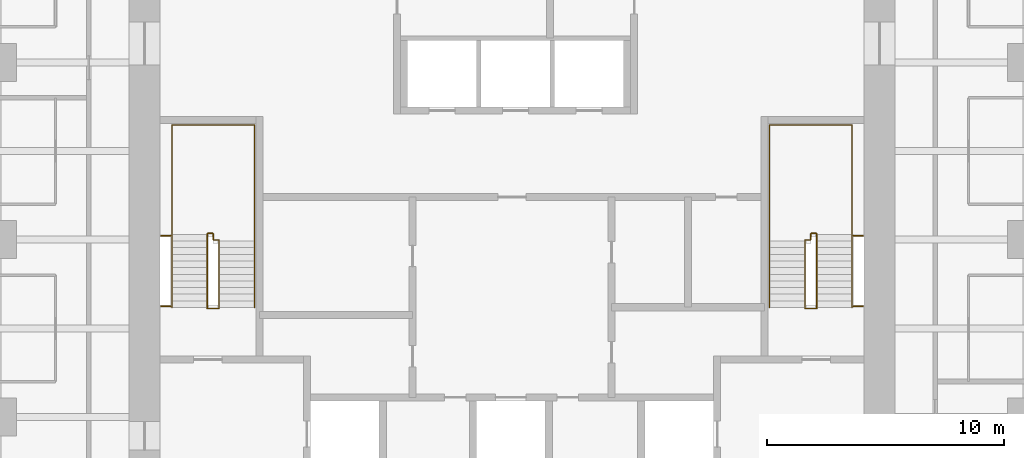
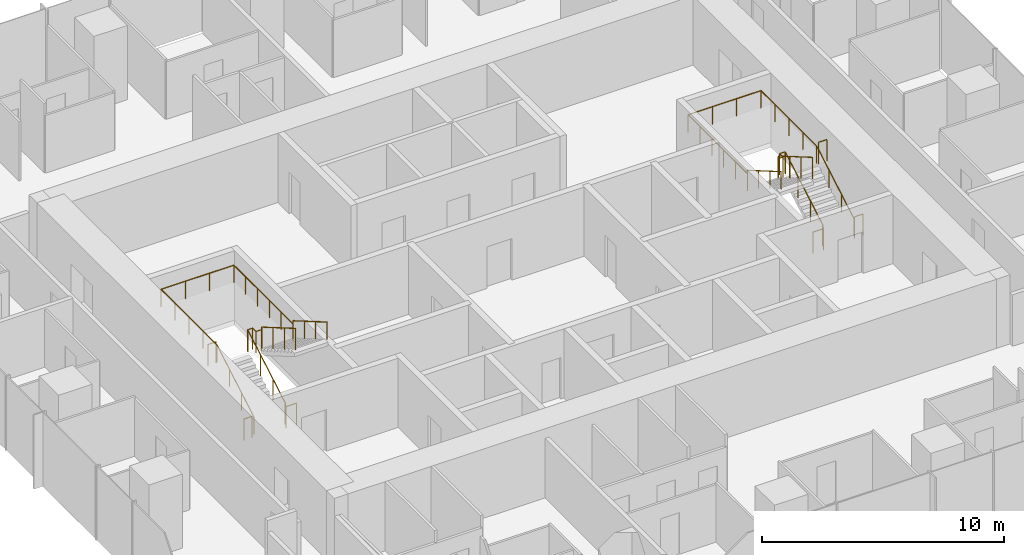
# One storey, part 12 of 12: 8 railings.
"""IFC4 building model written with IfcOpenShell, lengths in metres."""

from ifc_helpers import new_model, si_unit, direction, frame, origin, origin_2d, place, context, subcontext, project, spatial, circle, extrude, material, type_object, element, save


model = new_model("IFC4")

# Units and contexts
model_context = context("Model", 3, precision=1e-05, world=origin(), true_north=direction((0.0, 1.0)))
body_context = subcontext(model_context, "Body", "Model", "MODEL_VIEW")
ifc_project = project(units=[si_unit("LENGTHUNIT", "METRE"), si_unit("AREAUNIT", "SQUARE_METRE"), si_unit("VOLUMEUNIT", "CUBIC_METRE"), si_unit("PLANEANGLEUNIT", "RADIAN"), si_unit("MASSUNIT", "GRAM", prefix="KILO")], contexts=[model_context])

# Site, building, storey
site_placement = place(None, origin())
site = spatial("IfcSite", under=ifc_project, at=site_placement, CompositionType="ELEMENT")
building_placement = place(site_placement, origin())
building = spatial("IfcBuilding", under=site, at=building_placement, Name="Khuree Lantern Residences", CompositionType="ELEMENT")
storey_placement = place(building_placement, frame((0.0, 0.0, 308.25)))
storey = spatial("IfcBuildingStorey", under=building, at=storey_placement, Name="L77", CompositionType="ELEMENT", Elevation=308.25)

# Railings
ifc_material = material(Name="Steel S355", Category="steel")
railing_type_1 = type_object("IfcRailingType", Name="STAIR GUARD G1 1100", PredefinedType="GUARDRAIL", material=ifc_material)
railing_1_placement = place(storey_placement, frame((-12.35009765625, -2.909912109375, 0.0)))
element("IfcRailing", 1, at=railing_1_placement, inside=storey, type_object=railing_type_1, Name="Stair ST1 guard", PredefinedType="GUARDRAIL", context=body_context, shape_type="SweptSolid", body=[
    extrude(circle(Radius=0.02392578125, at=origin_2d()), frame((0.0, 0.0, 1.076171875), z_axis=(-1.0, 0.0, 0.0), x_axis=(0.0, -1.0, 0.0)), (0.0, 0.0, 1.0), 0.5),
    extrude(circle(Radius=0.02392578125, at=origin_2d()), frame((-0.5, 0.0, 1.076171875), z_axis=(0.0, 0.292073035251, 0.95639601739), x_axis=(-1.0, 0.0, 0.0)), (0.0, 0.0, 1.0), 0.17041015625),
    extrude(circle(Radius=0.02392578125, at=origin_2d()), frame((-0.5, 0.0498046875, 1.2392578125), z_axis=(0.0, 0.864176135923, 0.503189433615), x_axis=(-1.0, 0.0, 0.0)), (0.0, 0.0, 1.0), 3.564208984375),
    extrude(circle(Radius=0.02392578125, at=origin_2d()), frame((-0.5, 3.1298828125, 3.03271484375), z_axis=(0.0, 1.0, 0.0), x_axis=(-1.0, 0.0, 0.0)), (0.0, 0.0, 1.0), 0.050048828125),
    extrude(circle(Radius=0.02392578125, at=origin_2d()), frame((-0.5, 3.179931640625, 3.03271484375), z_axis=(1.0, 0.0, 0.0), x_axis=(0.0, 1.0, 0.0)), (0.0, 0.0, 1.0), 0.25),
    extrude(circle(Radius=0.02392578125, at=origin_2d()), frame((-0.25, 3.179931640625, 3.03271484375), z_axis=(0.0, -1.0, 0.0), x_axis=(1.0, 0.0, 0.0)), (0.0, 0.0, 1.0), 0.280029296875),
    extrude(circle(Radius=0.02392578125, at=origin_2d()), frame((-0.25, 2.89990234375, 3.03271484375), z_axis=(1.0, 0.0, 0.0), x_axis=(0.0, 1.0, 0.0)), (0.0, 0.0, 1.0), 0.25),
    extrude(circle(Radius=0.02392578125, at=origin_2d()), frame((0.0, 2.89990234375, 3.03271484375), z_axis=(0.0, -0.293381807449, 0.955995353053), x_axis=(1.0, 0.0, 0.0)), (0.0, 0.0, 1.0), 0.170654296875),
    extrude(circle(Radius=0.02392578125, at=origin_2d()), frame((0.0, 2.849853515625, 3.19580078125), z_axis=(0.0, -0.864180358799, 0.503182181189), x_axis=(1.0, 0.0, 0.0)), (0.0, 0.0, 1.0), 3.240234375),
    extrude(circle(Radius=0.02099609375, at=origin_2d()), origin(), (0.0, 0.0, 1.0), 1.052001953125),
    extrude(circle(Radius=0.02099609375, at=origin_2d()), frame((-0.5, 0.0, 0.0)), (0.0, 0.0, 1.0), 1.052001953125),
    extrude(circle(Radius=0.02099609375, at=origin_2d()), frame((-0.5, 0.0498046875, 0.1630859375)), (0.0, 0.0, 1.0), 1.052001953125),
    extrude(circle(Radius=0.02099609375, at=origin_2d()), frame((-0.5, 1.076416015625, 0.760986328125)), (0.0, 0.0, 1.0), 1.052001953125),
    extrude(circle(Radius=0.02099609375, at=origin_2d()), frame((-0.5, 2.103271484375, 1.358642578125)), (0.0, 0.0, 1.0), 1.052001953125),
    extrude(circle(Radius=0.02099609375, at=origin_2d()), frame((-0.5, 3.1298828125, 1.95654296875)), (0.0, 0.0, 1.0), 1.052001953125),
    extrude(circle(Radius=0.02099609375, at=origin_2d()), frame((-0.5, 3.179931640625, 1.95654296875)), (0.0, 0.0, 1.0), 1.052001953125),
    extrude(circle(Radius=0.02099609375, at=origin_2d()), frame((-0.25, 3.179931640625, 1.95654296875)), (0.0, 0.0, 1.0), 1.052001953125),
    extrude(circle(Radius=0.02099609375, at=origin_2d()), frame((-0.25, 2.89990234375, 1.95654296875)), (0.0, 0.0, 1.0), 1.052001953125),
    extrude(circle(Radius=0.02099609375, at=origin_2d()), frame((0.0, 2.89990234375, 1.95654296875)), (0.0, 0.0, 1.0), 1.052001953125),
    extrude(circle(Radius=0.02099609375, at=origin_2d()), frame((0.0, 2.849853515625, 2.11962890625)), (0.0, 0.0, 1.0), 1.052001953125),
    extrude(circle(Radius=0.02099609375, at=origin_2d()), frame((0.0, 1.91650390625, 2.6630859375)), (0.0, 0.0, 1.0), 1.052001953125),
    extrude(circle(Radius=0.02099609375, at=origin_2d()), frame((0.0, 0.983154296875, 3.20654296875)), (0.0, 0.0, 1.0), 1.052001953125),
    extrude(circle(Radius=0.02099609375, at=origin_2d()), frame((0.0, 0.0498046875, 3.75)), (0.0, 0.0, 1.0), 1.052001953125),
])
for number, where, name in (
    (2, (-14.800048828125, -2.81005859375, 0.0), "Stair ST1 landing slot guard"),
    (3, (-14.800048828125, 0.169921875, 1.95654296875), "Stair ST1 landing slot guard"),
):
    element("IfcRailing", number, at=place(storey_placement, frame(where)), inside=storey, type_object=railing_type_1, Name=name, PredefinedType="GUARDRAIL", context=body_context, shape_type="SweptSolid", body=[
        extrude(circle(Radius=0.02392578125, at=origin_2d()), frame((0.0, 0.0, 1.076171875), z_axis=(1.0, 0.0, 0.0), x_axis=(0.0, 1.0, 0.0)), (0.0, 0.0, 1.0), 0.400146484375),
        extrude(circle(Radius=0.02099609375, at=origin_2d()), origin(), (0.0, 0.0, 1.0), 1.052001953125),
        extrude(circle(Radius=0.02099609375, at=origin_2d()), frame((0.400146484375, 0.0, 0.0)), (0.0, 0.0, 1.0), 1.052001953125),
    ])
railing_2_placement = place(storey_placement, frame((12.35009765625, -2.909912109375, 0.0)))
element("IfcRailing", 4, at=railing_2_placement, inside=storey, type_object=railing_type_1, Name="Stair ST2 guard", PredefinedType="GUARDRAIL", context=body_context, shape_type="SweptSolid", body=[
    extrude(circle(Radius=0.02392578125, at=origin_2d()), frame((0.0, 0.0, 1.076171875), z_axis=(1.0, 0.0, 0.0), x_axis=(0.0, 1.0, 0.0)), (0.0, 0.0, 1.0), 0.5),
    extrude(circle(Radius=0.02392578125, at=origin_2d()), frame((0.5, 0.0, 1.076171875), z_axis=(0.0, 0.292073035251, 0.95639601739), x_axis=(-1.0, 0.0, 0.0)), (0.0, 0.0, 1.0), 0.17041015625),
    extrude(circle(Radius=0.02392578125, at=origin_2d()), frame((0.5, 0.0498046875, 1.2392578125), z_axis=(0.0, 0.864176135923, 0.503189433615), x_axis=(-1.0, 0.0, 0.0)), (0.0, 0.0, 1.0), 3.564208984375),
    extrude(circle(Radius=0.02392578125, at=origin_2d()), frame((0.5, 3.1298828125, 3.03271484375), z_axis=(0.0, 1.0, 0.0), x_axis=(-1.0, 0.0, 0.0)), (0.0, 0.0, 1.0), 0.050048828125),
    extrude(circle(Radius=0.02392578125, at=origin_2d()), frame((0.5, 3.179931640625, 3.03271484375), z_axis=(-1.0, 0.0, 0.0), x_axis=(0.0, -1.0, 0.0)), (0.0, 0.0, 1.0), 0.25),
    extrude(circle(Radius=0.02392578125, at=origin_2d()), frame((0.25, 3.179931640625, 3.03271484375), z_axis=(0.0, -1.0, 0.0), x_axis=(1.0, 0.0, 0.0)), (0.0, 0.0, 1.0), 0.280029296875),
    extrude(circle(Radius=0.02392578125, at=origin_2d()), frame((0.25, 2.89990234375, 3.03271484375), z_axis=(-1.0, 0.0, 0.0), x_axis=(0.0, -1.0, 0.0)), (0.0, 0.0, 1.0), 0.25),
    extrude(circle(Radius=0.02392578125, at=origin_2d()), frame((0.0, 2.89990234375, 3.03271484375), z_axis=(0.0, -0.293381807449, 0.955995353053), x_axis=(1.0, 0.0, 0.0)), (0.0, 0.0, 1.0), 0.170654296875),
    extrude(circle(Radius=0.02392578125, at=origin_2d()), frame((0.0, 2.849853515625, 3.19580078125), z_axis=(0.0, -0.864180358799, 0.503182181189), x_axis=(1.0, 0.0, 0.0)), (0.0, 0.0, 1.0), 3.240234375),
    extrude(circle(Radius=0.02099609375, at=origin_2d()), origin(), (0.0, 0.0, 1.0), 1.052001953125),
    extrude(circle(Radius=0.02099609375, at=origin_2d()), frame((0.5, 0.0, 0.0)), (0.0, 0.0, 1.0), 1.052001953125),
    extrude(circle(Radius=0.02099609375, at=origin_2d()), frame((0.5, 0.0498046875, 0.1630859375)), (0.0, 0.0, 1.0), 1.052001953125),
    extrude(circle(Radius=0.02099609375, at=origin_2d()), frame((0.5, 1.076416015625, 0.760986328125)), (0.0, 0.0, 1.0), 1.052001953125),
    extrude(circle(Radius=0.02099609375, at=origin_2d()), frame((0.5, 2.103271484375, 1.358642578125)), (0.0, 0.0, 1.0), 1.052001953125),
    extrude(circle(Radius=0.02099609375, at=origin_2d()), frame((0.5, 3.1298828125, 1.95654296875)), (0.0, 0.0, 1.0), 1.052001953125),
    extrude(circle(Radius=0.02099609375, at=origin_2d()), frame((0.5, 3.179931640625, 1.95654296875)), (0.0, 0.0, 1.0), 1.052001953125),
    extrude(circle(Radius=0.02099609375, at=origin_2d()), frame((0.25, 3.179931640625, 1.95654296875)), (0.0, 0.0, 1.0), 1.052001953125),
    extrude(circle(Radius=0.02099609375, at=origin_2d()), frame((0.25, 2.89990234375, 1.95654296875)), (0.0, 0.0, 1.0), 1.052001953125),
    extrude(circle(Radius=0.02099609375, at=origin_2d()), frame((0.0, 2.89990234375, 1.95654296875)), (0.0, 0.0, 1.0), 1.052001953125),
    extrude(circle(Radius=0.02099609375, at=origin_2d()), frame((0.0, 2.849853515625, 2.11962890625)), (0.0, 0.0, 1.0), 1.052001953125),
    extrude(circle(Radius=0.02099609375, at=origin_2d()), frame((0.0, 1.91650390625, 2.6630859375)), (0.0, 0.0, 1.0), 1.052001953125),
    extrude(circle(Radius=0.02099609375, at=origin_2d()), frame((0.0, 0.983154296875, 3.20654296875)), (0.0, 0.0, 1.0), 1.052001953125),
    extrude(circle(Radius=0.02099609375, at=origin_2d()), frame((0.0, 0.0498046875, 3.75)), (0.0, 0.0, 1.0), 1.052001953125),
])
for number, where, name in (
    (5, (14.800048828125, -2.81005859375, 0.0), "Stair ST2 landing slot guard"),
    (6, (14.800048828125, 0.169921875, 1.95654296875), "Stair ST2 landing slot guard"),
):
    element("IfcRailing", number, at=place(storey_placement, frame(where)), inside=storey, type_object=railing_type_1, Name=name, PredefinedType="GUARDRAIL", context=body_context, shape_type="SweptSolid", body=[
        extrude(circle(Radius=0.02392578125, at=origin_2d()), frame((0.0, 0.0, 1.076171875), z_axis=(-1.0, 0.0, 0.0), x_axis=(0.0, -1.0, 0.0)), (0.0, 0.0, 1.0), 0.400146484375),
        extrude(circle(Radius=0.02099609375, at=origin_2d()), origin(), (0.0, 0.0, 1.0), 1.052001953125),
        extrude(circle(Radius=0.02099609375, at=origin_2d()), frame((-0.400146484375, 0.0, 0.0)), (0.0, 0.0, 1.0), 1.052001953125),
    ])
railing_type_2 = type_object("IfcRailingType", Name="STAIR HANDRAIL H1 900", PredefinedType="HANDRAIL", material=ifc_material)
railing_3_placement = place(storey_placement, frame((-14.340087890625, -2.860107421875, 0.1630859375)))
element("IfcRailing", 7, at=railing_3_placement, inside=storey, type_object=railing_type_2, Name="Stair ST1 handrail", PredefinedType="HANDRAIL", context=body_context, shape_type="SweptSolid", body=[
    extrude(circle(Radius=0.02392578125, at=origin_2d()), frame((0.0, 0.0, 0.8759765625), z_axis=(0.0, 0.864176135923, 0.503189433615), x_axis=(-1.0, 0.0, 0.0)), (0.0, 0.0, 1.0), 3.564208984375),
    extrude(circle(Radius=0.02392578125, at=origin_2d()), frame((0.0, 3.080078125, 2.66943359375), z_axis=(0.0, 1.0, 0.0), x_axis=(-1.0, 0.0, 0.0)), (0.0, 0.0, 1.0), 4.6201171875),
    extrude(circle(Radius=0.02392578125, at=origin_2d()), frame((0.0, 7.7001953125, 2.66943359375), z_axis=(1.0, 0.0, 0.0), x_axis=(0.0, 1.0, 0.0)), (0.0, 0.0, 1.0), 3.47998046875),
    extrude(circle(Radius=0.02392578125, at=origin_2d()), frame((3.47998046875, 7.7001953125, 2.66943359375), z_axis=(0.0, -1.0, 0.0), x_axis=(1.0, 0.0, 0.0)), (0.0, 0.0, 1.0), 4.900146484375),
    extrude(circle(Radius=0.02392578125, at=origin_2d()), frame((3.47998046875, 2.800048828125, 2.66943359375), z_axis=(0.0, 0.0, 1.0), x_axis=(1.0, 0.0, 0.0)), (0.0, 0.0, 1.0), 0.1630859375),
    extrude(circle(Radius=0.02392578125, at=origin_2d()), frame((3.47998046875, 2.800048828125, 2.83251953125), z_axis=(0.0, -0.864180358799, 0.503182181189), x_axis=(1.0, 0.0, 0.0)), (0.0, 0.0, 1.0), 3.240234375),
    extrude(circle(Radius=0.02099609375, at=origin_2d()), origin(), (0.0, 0.0, 1.0), 0.851806640625),
    extrude(circle(Radius=0.02099609375, at=origin_2d()), frame((0.0, 1.026611328125, 0.597900390625)), (0.0, 0.0, 1.0), 0.851806640625),
    extrude(circle(Radius=0.02099609375, at=origin_2d()), frame((0.0, 2.053466796875, 1.195556640625)), (0.0, 0.0, 1.0), 0.851806640625),
    extrude(circle(Radius=0.02099609375, at=origin_2d()), frame((0.0, 3.080078125, 1.79345703125)), (0.0, 0.0, 1.0), 0.851806640625),
    extrude(circle(Radius=0.02099609375, at=origin_2d()), frame((0.0, 4.235107421875, 1.79345703125)), (0.0, 0.0, 1.0), 0.851806640625),
    extrude(circle(Radius=0.02099609375, at=origin_2d()), frame((0.0, 5.39013671875, 1.79345703125)), (0.0, 0.0, 1.0), 0.851806640625),
    extrude(circle(Radius=0.02099609375, at=origin_2d()), frame((0.0, 6.545166015625, 1.79345703125)), (0.0, 0.0, 1.0), 0.851806640625),
    extrude(circle(Radius=0.02099609375, at=origin_2d()), frame((0.0, 7.7001953125, 1.79345703125)), (0.0, 0.0, 1.0), 0.851806640625),
    extrude(circle(Radius=0.02099609375, at=origin_2d()), frame((1.159912109375, 7.7001953125, 1.79345703125)), (0.0, 0.0, 1.0), 0.851806640625),
    extrude(circle(Radius=0.02099609375, at=origin_2d()), frame((2.320068359375, 7.7001953125, 1.79345703125)), (0.0, 0.0, 1.0), 0.851806640625),
    extrude(circle(Radius=0.02099609375, at=origin_2d()), frame((3.47998046875, 7.7001953125, 1.79345703125)), (0.0, 0.0, 1.0), 0.851806640625),
    extrude(circle(Radius=0.02099609375, at=origin_2d()), frame((3.47998046875, 6.72021484375, 1.79345703125)), (0.0, 0.0, 1.0), 0.851806640625),
    extrude(circle(Radius=0.02099609375, at=origin_2d()), frame((3.47998046875, 5.740234375, 1.79345703125)), (0.0, 0.0, 1.0), 0.851806640625),
    extrude(circle(Radius=0.02099609375, at=origin_2d()), frame((3.47998046875, 4.760009765625, 1.79345703125)), (0.0, 0.0, 1.0), 0.851806640625),
    extrude(circle(Radius=0.02099609375, at=origin_2d()), frame((3.47998046875, 3.780029296875, 1.79345703125)), (0.0, 0.0, 1.0), 0.851806640625),
    extrude(circle(Radius=0.02099609375, at=origin_2d()), frame((3.47998046875, 2.800048828125, 1.79345703125)), (0.0, 0.0, 1.0), 0.851806640625),
    extrude(circle(Radius=0.02099609375, at=origin_2d()), frame((3.47998046875, 2.800048828125, 1.95654296875)), (0.0, 0.0, 1.0), 0.851806640625),
    extrude(circle(Radius=0.02099609375, at=origin_2d()), frame((3.47998046875, 1.86669921875, 2.5)), (0.0, 0.0, 1.0), 0.851806640625),
    extrude(circle(Radius=0.02099609375, at=origin_2d()), frame((3.47998046875, 0.933349609375, 3.04345703125)), (0.0, 0.0, 1.0), 0.851806640625),
    extrude(circle(Radius=0.02099609375, at=origin_2d()), frame((3.47998046875, 0.0, 3.5869140625)), (0.0, 0.0, 1.0), 0.851806640625),
])
railing_4_placement = place(storey_placement, frame((14.340087890625, -2.860107421875, 0.1630859375)))
element("IfcRailing", 8, at=railing_4_placement, inside=storey, type_object=railing_type_2, Name="Stair ST2 handrail", PredefinedType="HANDRAIL", context=body_context, shape_type="SweptSolid", body=[
    extrude(circle(Radius=0.02392578125, at=origin_2d()), frame((0.0, 0.0, 0.8759765625), z_axis=(0.0, 0.864176135923, 0.503189433615), x_axis=(-1.0, 0.0, 0.0)), (0.0, 0.0, 1.0), 3.564208984375),
    extrude(circle(Radius=0.02392578125, at=origin_2d()), frame((0.0, 3.080078125, 2.66943359375), z_axis=(0.0, 1.0, 0.0), x_axis=(-1.0, 0.0, 0.0)), (0.0, 0.0, 1.0), 4.6201171875),
    extrude(circle(Radius=0.02392578125, at=origin_2d()), frame((0.0, 7.7001953125, 2.66943359375), z_axis=(-1.0, 0.0, 0.0), x_axis=(0.0, -1.0, 0.0)), (0.0, 0.0, 1.0), 3.47998046875),
    extrude(circle(Radius=0.02392578125, at=origin_2d()), frame((-3.47998046875, 7.7001953125, 2.66943359375), z_axis=(0.0, -1.0, 0.0), x_axis=(1.0, 0.0, 0.0)), (0.0, 0.0, 1.0), 4.900146484375),
    extrude(circle(Radius=0.02392578125, at=origin_2d()), frame((-3.47998046875, 2.800048828125, 2.66943359375), z_axis=(0.0, 0.0, 1.0), x_axis=(1.0, 0.0, 0.0)), (0.0, 0.0, 1.0), 0.1630859375),
    extrude(circle(Radius=0.02392578125, at=origin_2d()), frame((-3.47998046875, 2.800048828125, 2.83251953125), z_axis=(0.0, -0.864180358799, 0.503182181189), x_axis=(1.0, 0.0, 0.0)), (0.0, 0.0, 1.0), 3.240234375),
    extrude(circle(Radius=0.02099609375, at=origin_2d()), origin(), (0.0, 0.0, 1.0), 0.851806640625),
    extrude(circle(Radius=0.02099609375, at=origin_2d()), frame((0.0, 1.026611328125, 0.597900390625)), (0.0, 0.0, 1.0), 0.851806640625),
    extrude(circle(Radius=0.02099609375, at=origin_2d()), frame((0.0, 2.053466796875, 1.195556640625)), (0.0, 0.0, 1.0), 0.851806640625),
    extrude(circle(Radius=0.02099609375, at=origin_2d()), frame((0.0, 3.080078125, 1.79345703125)), (0.0, 0.0, 1.0), 0.851806640625),
    extrude(circle(Radius=0.02099609375, at=origin_2d()), frame((0.0, 4.235107421875, 1.79345703125)), (0.0, 0.0, 1.0), 0.851806640625),
    extrude(circle(Radius=0.02099609375, at=origin_2d()), frame((0.0, 5.39013671875, 1.79345703125)), (0.0, 0.0, 1.0), 0.851806640625),
    extrude(circle(Radius=0.02099609375, at=origin_2d()), frame((0.0, 6.545166015625, 1.79345703125)), (0.0, 0.0, 1.0), 0.851806640625),
    extrude(circle(Radius=0.02099609375, at=origin_2d()), frame((0.0, 7.7001953125, 1.79345703125)), (0.0, 0.0, 1.0), 0.851806640625),
    extrude(circle(Radius=0.02099609375, at=origin_2d()), frame((-1.159912109375, 7.7001953125, 1.79345703125)), (0.0, 0.0, 1.0), 0.851806640625),
    extrude(circle(Radius=0.02099609375, at=origin_2d()), frame((-2.320068359375, 7.7001953125, 1.79345703125)), (0.0, 0.0, 1.0), 0.851806640625),
    extrude(circle(Radius=0.02099609375, at=origin_2d()), frame((-3.47998046875, 7.7001953125, 1.79345703125)), (0.0, 0.0, 1.0), 0.851806640625),
    extrude(circle(Radius=0.02099609375, at=origin_2d()), frame((-3.47998046875, 6.72021484375, 1.79345703125)), (0.0, 0.0, 1.0), 0.851806640625),
    extrude(circle(Radius=0.02099609375, at=origin_2d()), frame((-3.47998046875, 5.740234375, 1.79345703125)), (0.0, 0.0, 1.0), 0.851806640625),
    extrude(circle(Radius=0.02099609375, at=origin_2d()), frame((-3.47998046875, 4.760009765625, 1.79345703125)), (0.0, 0.0, 1.0), 0.851806640625),
    extrude(circle(Radius=0.02099609375, at=origin_2d()), frame((-3.47998046875, 3.780029296875, 1.79345703125)), (0.0, 0.0, 1.0), 0.851806640625),
    extrude(circle(Radius=0.02099609375, at=origin_2d()), frame((-3.47998046875, 2.800048828125, 1.79345703125)), (0.0, 0.0, 1.0), 0.851806640625),
    extrude(circle(Radius=0.02099609375, at=origin_2d()), frame((-3.47998046875, 2.800048828125, 1.95654296875)), (0.0, 0.0, 1.0), 0.851806640625),
    extrude(circle(Radius=0.02099609375, at=origin_2d()), frame((-3.47998046875, 1.86669921875, 2.5)), (0.0, 0.0, 1.0), 0.851806640625),
    extrude(circle(Radius=0.02099609375, at=origin_2d()), frame((-3.47998046875, 0.933349609375, 3.04345703125)), (0.0, 0.0, 1.0), 0.851806640625),
    extrude(circle(Radius=0.02099609375, at=origin_2d()), frame((-3.47998046875, 0.0, 3.5869140625)), (0.0, 0.0, 1.0), 0.851806640625),
])

save(model, "model.ifc")
